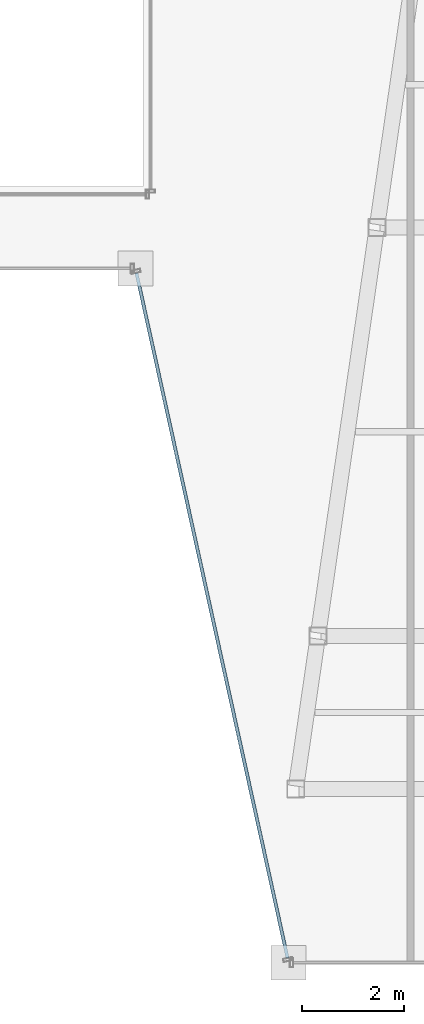
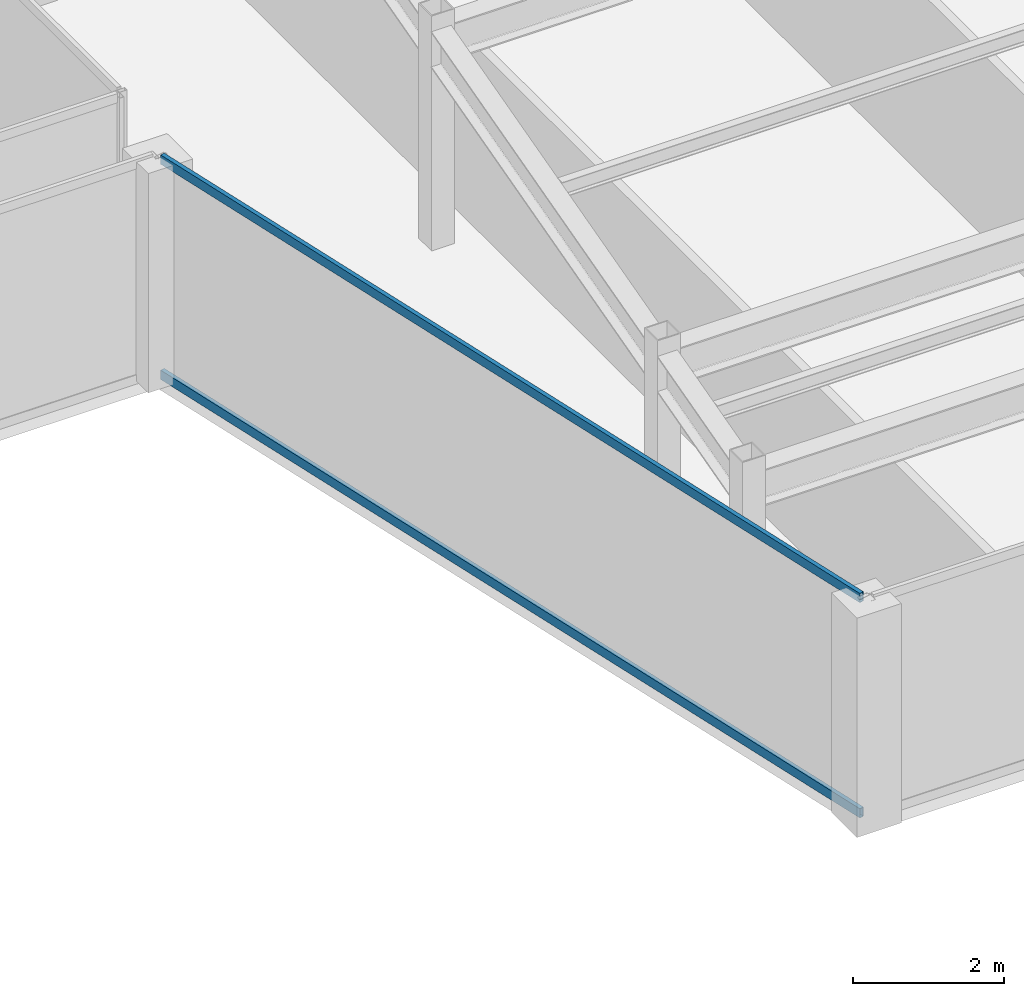
# One storey, part 13 of 32: 2 members, 1 element without a shape of its own.
"""IFC4 building model written with IfcOpenShell, lengths in metres."""

from ifc_helpers import new_model, si_unit, direction, frame, origin, origin_2d, place, context, subcontext, project, spatial, hollow_rectangle, extrude, material, material_profile, profile_set, type_object, element, aggregate, save


model = new_model("IFC4")

# Units and contexts
model_context = context("Model", 3, precision=1e-05, world=origin(), true_north=direction((0.0, 1.0)))
body_context = subcontext(model_context, "Body", "Model", "MODEL_VIEW")
ifc_project = project(units=[si_unit("LENGTHUNIT", "METRE"), si_unit("AREAUNIT", "SQUARE_METRE"), si_unit("VOLUMEUNIT", "CUBIC_METRE"), si_unit("PLANEANGLEUNIT", "RADIAN"), si_unit("MASSUNIT", "GRAM", prefix="KILO")], contexts=[model_context])

# Site, building, storey
site_placement = place(None, origin())
site = spatial("IfcSite", under=ifc_project, at=site_placement, CompositionType="ELEMENT")
building_placement = place(site_placement, origin())
building = spatial("IfcBuilding", under=site, at=building_placement, Name="Saevonmaru Cultural Tower", CompositionType="ELEMENT")
storey_placement = place(building_placement, frame((0.0, 0.0, 242.0)))
storey = spatial("IfcBuildingStorey", under=building, at=storey_placement, Name="L56", CompositionType="ELEMENT", Elevation=242.0)

# Curtain wall, members
ifc_material = material(Name="Satin Bronze Anodised Aluminium", Category="aluminium")
curtain_wall_type = type_object("IfcCurtainWallType", Name="CW-TYP-B", PredefinedType="NOTDEFINED", material=ifc_material)
curtain_wall_placement = place(storey_placement, origin())
curtain_wall = element("IfcCurtainWall", 1, at=curtain_wall_placement, inside=storey, type_object=curtain_wall_type, Name="L56 Unitised Curtain Wall E5", PredefinedType="NOTDEFINED")
ifc_material_profile = material_profile(ifc_material, hollow_rectangle(XDim=0.06494140625, YDim=0.14990234375, WallThickness=0.00390625, at=origin_2d()), Name="ALU-TRAN-150x65x4")
ifc_profile_set = profile_set([ifc_material_profile], Name="Satin Bronze Anodised Aluminium")
member_type = type_object("IfcMemberType", Name="TR-CW-150x65", PredefinedType="USERDEFINED", material=ifc_profile_set)
member_1_placement = place(storey_placement, frame((35.673095703125, 31.109619140625, 0.032470703125), z_axis=(0.215415884539, -0.976522399481, 0.0), x_axis=(0.976522399481, 0.215415884539, 0.0)))
member_1 = element("IfcMember", 2, at=member_1_placement, type_object=member_type, Name="CW-TW-L56-E5 transom 1.1", ObjectType="TRANSOM", PredefinedType="USERDEFINED", context=body_context, shape_type="SweptSolid", body=[
    extrude(hollow_rectangle(XDim=0.06494140625, YDim=0.14990234375, WallThickness=0.00390625, at=origin_2d()), origin(), (0.0, 0.0, 1.0), 13.74169921875),
])
member_2_placement = place(storey_placement, frame((35.673095703125, 31.109619140625, 3.517578125), z_axis=(0.215415884539, -0.976522399481, 0.0), x_axis=(0.976522399481, 0.215415884539, 0.0)))
member_2 = element("IfcMember", 3, at=member_2_placement, type_object=member_type, Name="CW-TW-L56-E5 transom 1.2", ObjectType="TRANSOM", PredefinedType="USERDEFINED", context=body_context, shape_type="SweptSolid", body=[
    extrude(hollow_rectangle(XDim=0.06494140625, YDim=0.14990234375, WallThickness=0.00390625, at=origin_2d()), origin(), (0.0, 0.0, 1.0), 13.74169921875),
])
aggregate(curtain_wall, [member_1, member_2])

save(model, "model.ifc")
